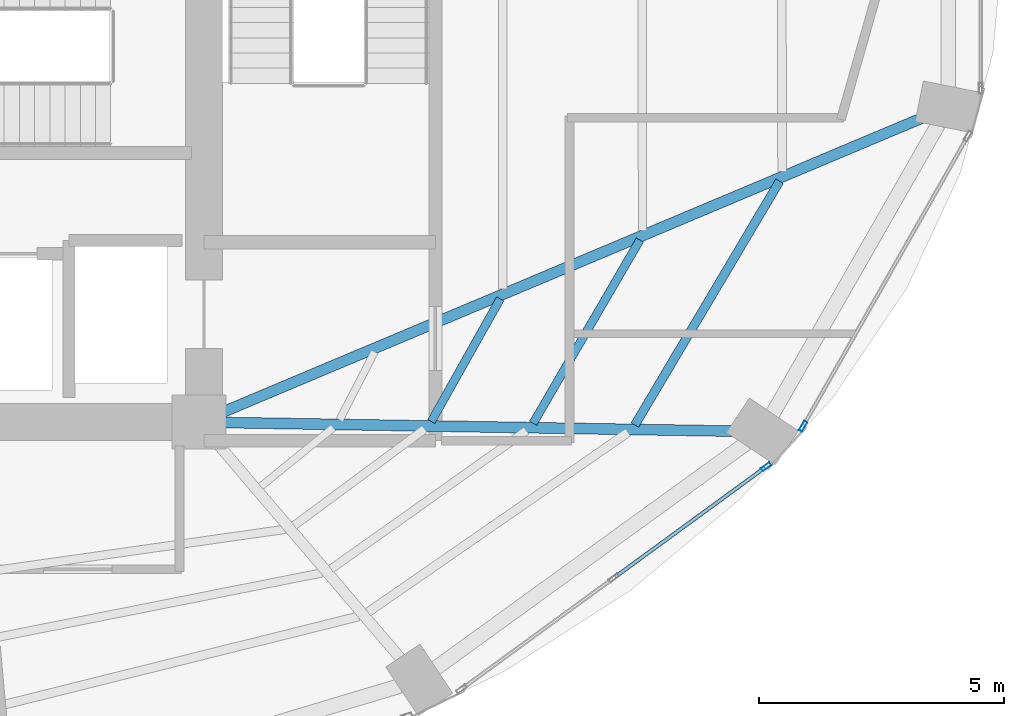
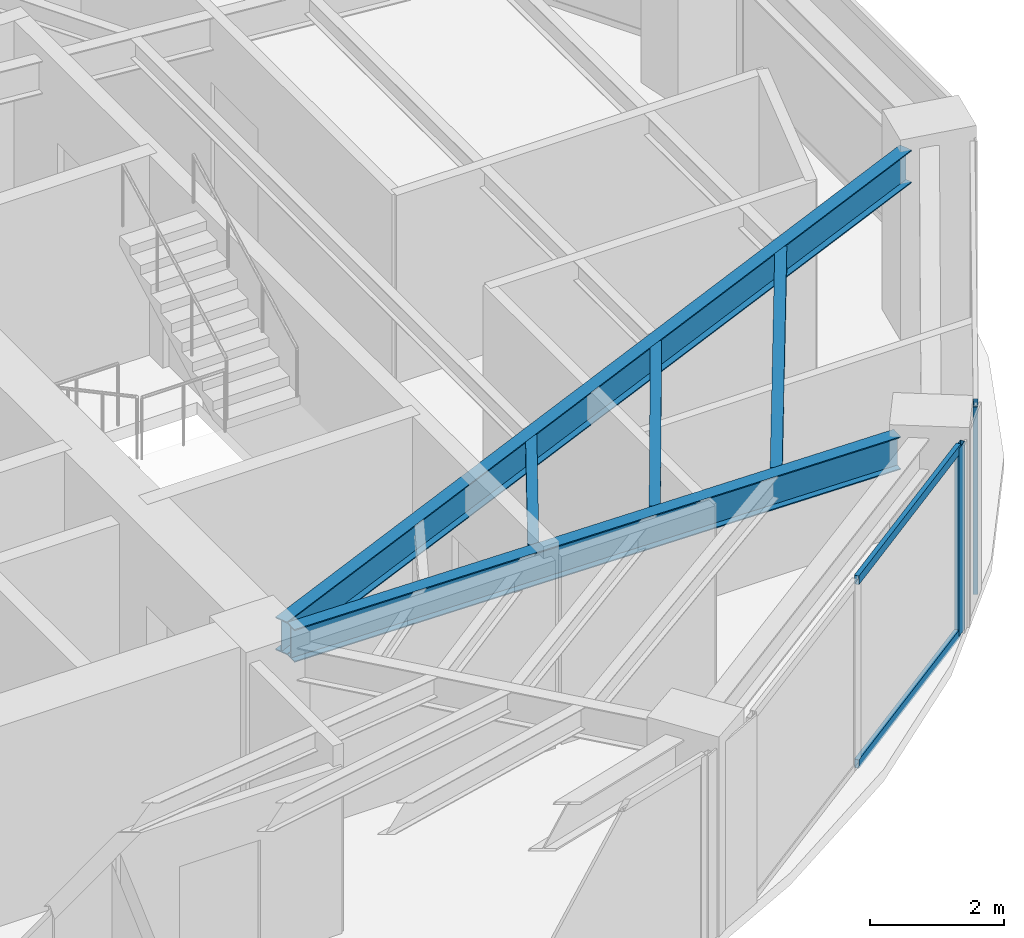
# One storey, part 12 of 24: 5 beams, 4 members, 2 elements without a shape of their own.
"""IFC4 building model written with IfcOpenShell, lengths in metres."""

from ifc_helpers import new_model, si_unit, direction, frame, origin, origin_2d, place, context, subcontext, project, spatial, hollow_rectangle, i_section, extrude, material, layer, layer_set, material_profile, profile_set, type_object, element, aggregate, save


model = new_model("IFC4")

# Units and contexts
model_context = context("Model", 3, precision=1e-05, world=origin(), true_north=direction((0.0, 1.0)))
body_context = subcontext(model_context, "Body", "Model", "MODEL_VIEW")
ifc_project = project(units=[si_unit("LENGTHUNIT", "METRE"), si_unit("AREAUNIT", "SQUARE_METRE"), si_unit("VOLUMEUNIT", "CUBIC_METRE"), si_unit("PLANEANGLEUNIT", "RADIAN"), si_unit("MASSUNIT", "GRAM", prefix="KILO")], contexts=[model_context])

# Site, building, storey
site_placement = place(None, origin())
site = spatial("IfcSite", under=ifc_project, at=site_placement, CompositionType="ELEMENT")
building_placement = place(site_placement, origin())
building = spatial("IfcBuilding", under=site, at=building_placement, Name="Lazwardi Medical Tower", CompositionType="ELEMENT")
storey_placement = place(building_placement, frame((0.0, 0.0, 118.22412109375)))
storey = spatial("IfcBuildingStorey", under=building, at=storey_placement, Name="L30", CompositionType="ELEMENT", Elevation=118.22412109375)

# Beams
ifc_material_1 = material(Name="Steel S355", Category="steel")
ifc_material_profile_1 = material_profile(ifc_material_1, i_section(OverallWidth=0.219970703125, OverallDepth=0.60009765625, WebThickness=0.011962890625, FlangeThickness=0.01904296875, at=origin_2d()), Name="IPE 600")
ifc_profile_set_1 = profile_set([ifc_material_profile_1], Name="Steel S355")
beam_type_1 = type_object("IfcBeamType", Name="BM-RG-W1", PredefinedType="BEAM", material=ifc_profile_set_1)
beam_1_placement = place(storey_placement, frame((56.497802734375, 20.215087890625, 3.1279296875), z_axis=(-0.99985616395, 0.016960289263, 0.0), x_axis=(-0.016960289263, -0.99985616395, 0.0)))
element("IfcBeam", 1, at=beam_1_placement, inside=storey, type_object=beam_type_1, Name="Radial girder RG-02 R03 L30", PredefinedType="BEAM", context=body_context, shape_type="SweptSolid", body=[
    extrude(i_section(OverallWidth=0.219970703125, OverallDepth=0.60009765625, WebThickness=0.011962890625, FlangeThickness=0.01904296875, at=origin_2d()), origin(), (0.0, 0.0, 1.0), 10.3642578125),
])
beam_2_placement = place(storey_placement, frame((60.328369140625, 26.59521484375, 3.1279296875), z_axis=(-0.921775176005, -0.38772480563, 0.0), x_axis=(0.38772480563, -0.921775176005, 0.0)))
element("IfcBeam", 2, at=beam_2_placement, inside=storey, type_object=beam_type_1, Name="Radial girder RG-02 R04 L30", PredefinedType="BEAM", context=body_context, shape_type="SweptSolid", body=[
    extrude(i_section(OverallWidth=0.219970703125, OverallDepth=0.60009765625, WebThickness=0.011962890625, FlangeThickness=0.01904296875, at=origin_2d()), origin(), (0.0, 0.0, 1.0), 15.443359375),
])
ifc_material_profile_2 = material_profile(ifc_material_1, i_section(OverallWidth=0.179931640625, OverallDepth=0.39990234375, WebThickness=0.008544921875, FlangeThickness=0.013427734375, at=origin_2d()), Name="IPE 400")
ifc_profile_set_2 = profile_set([ifc_material_profile_2], Name="Steel S355")
beam_type_2 = type_object("IfcBeamType", Name="BM-SJ-01", PredefinedType="JOIST", material=ifc_profile_set_2)
beam_3_placement = place(storey_placement, frame((54.47900390625, 20.340576171875, 3.227783203125), z_axis=(0.510499691073, 0.859877936346, 0.0), x_axis=(-0.859877936346, 0.510499691073, 0.0)))
element("IfcBeam", 3, at=beam_3_placement, inside=storey, type_object=beam_type_2, Name="Secondary joist SJ-01 R1 B03 L30", PredefinedType="JOIST", context=body_context, shape_type="SweptSolid", body=[
    extrude(i_section(OverallWidth=0.179931640625, OverallDepth=0.39990234375, WebThickness=0.008544921875, FlangeThickness=0.013427734375, at=origin_2d()), origin(), (0.0, 0.0, 1.0), 5.776123046875),
])
ifc_material_profile_3 = material_profile(ifc_material_1, i_section(OverallWidth=0.169921875, OverallDepth=0.360107421875, WebThickness=0.008056640625, FlangeThickness=0.0126953125, at=origin_2d()), Name="IPE 360")
ifc_profile_set_3 = profile_set([ifc_material_profile_3], Name="Steel S355")
beam_type_3 = type_object("IfcBeamType", Name="BM-SJ-02", PredefinedType="JOIST", material=ifc_profile_set_3)
beam_4_placement = place(storey_placement, frame((52.405517578125, 20.376220703125, 3.247802734375), z_axis=(0.503544274258, 0.86396942299, 0.0), x_axis=(-0.86396942299, 0.503544274258, 0.0)))
element("IfcBeam", 4, at=beam_4_placement, inside=storey, type_object=beam_type_3, Name="Secondary joist SJ-02 R2 B03 L30", PredefinedType="JOIST", context=body_context, shape_type="SweptSolid", body=[
    extrude(i_section(OverallWidth=0.169921875, OverallDepth=0.360107421875, WebThickness=0.008056640625, FlangeThickness=0.0126953125, at=origin_2d()), origin(), (0.0, 0.0, 1.0), 4.321044921875),
])
beam_5_placement = place(storey_placement, frame((50.33154296875, 20.412109375, 3.247802734375), z_axis=(0.489860824278, 0.871800649711, 0.0), x_axis=(-0.871800649711, 0.489860824278, 0.0)))
element("IfcBeam", 5, at=beam_5_placement, inside=storey, type_object=beam_type_3, Name="Secondary joist SJ-02 R3 B03 L30", PredefinedType="JOIST", context=body_context, shape_type="SweptSolid", body=[
    extrude(i_section(OverallWidth=0.169921875, OverallDepth=0.360107421875, WebThickness=0.008056640625, FlangeThickness=0.0126953125, at=origin_2d()), origin(), (0.0, 0.0, 1.0), 2.8662109375),
])

# Curtain wall, member
ifc_material_2 = material(Name="Anodised bronze aluminium and solar control glazing", Category="aluminium")
ifc_layer = layer(ifc_material_2, 0.195068359375)
ifc_layer_set = layer_set([ifc_layer], Name="Anodised bronze aluminium and solar control glazing")
curtain_wall_type = type_object("IfcCurtainWallType", Name="CW-SYS-03", PredefinedType="NOTDEFINED", material=ifc_layer_set)
curtain_wall_1_placement = place(storey_placement, origin())
curtain_wall_1 = element("IfcCurtainWall", 6, at=curtain_wall_1_placement, inside=storey, type_object=curtain_wall_type, Name="L30 Unitised bronze curtain wall CW-03", PredefinedType="NOTDEFINED")
ifc_material_3 = material(Name="Anodised bronze aluminium", Category="aluminium")
ifc_material_profile_4 = material_profile(ifc_material_3, hollow_rectangle(XDim=0.074951171875, YDim=0.219970703125, WallThickness=0.00390625, at=origin_2d()), Name="ALU-MULLION 220x75x4")
ifc_profile_set_4 = profile_set([ifc_material_profile_4], Name="Anodised bronze aluminium")
member_type_1 = type_object("IfcMemberType", Name="CW-MUL-01", PredefinedType="MULLION", material=ifc_profile_set_4)
member_1_placement = place(storey_placement, frame((57.155029296875, 19.4912109375, 0.0), z_axis=(0.0, 0.0, 1.0), x_axis=(-0.589530882802, 0.807745837639, 0.0)))
member_1 = element("IfcMember", 7, at=member_1_placement, type_object=member_type_1, Name="CW-03 mullion 3", PredefinedType="MULLION", context=body_context, shape_type="SweptSolid", body=[
    extrude(hollow_rectangle(XDim=0.074951171875, YDim=0.219970703125, WallThickness=0.00390625, at=origin_2d()), origin(), (0.0, 0.0, 1.0), 3.427978515625),
])

curtain_wall_2_placement = place(storey_placement, origin())
curtain_wall_2 = element("IfcCurtainWall", 8, at=curtain_wall_2_placement, inside=storey, type_object=curtain_wall_type, Name="L30 Unitised bronze curtain wall CW-03", PredefinedType="NOTDEFINED")
member_2_placement = place(storey_placement, frame((57.9072265625, 20.314208984375, 0.0), z_axis=(0.0, 0.0, 1.0), x_axis=(-0.869687265712, 0.493603140041, 0.0)))
member_2 = element("IfcMember", 9, at=member_2_placement, type_object=member_type_1, Name="CW-03 mullion 1", PredefinedType="MULLION", context=body_context, shape_type="SweptSolid", body=[
    extrude(hollow_rectangle(XDim=0.074951171875, YDim=0.219970703125, WallThickness=0.00390625, at=origin_2d()), origin(), (0.0, 0.0, 1.0), 3.427978515625),
])
aggregate(curtain_wall_2, [member_2])

# Member
ifc_material_profile_5 = material_profile(ifc_material_3, hollow_rectangle(XDim=0.074951171875, YDim=0.159912109375, WallThickness=0.00390625, at=origin_2d()), Name="ALU-TRANSOM 160x75x4")
ifc_profile_set_5 = profile_set([ifc_material_profile_5], Name="Anodised bronze aluminium")
member_type_2 = type_object("IfcMemberType", Name="CW-TRN-01", PredefinedType="USERDEFINED", material=ifc_profile_set_5)
member_3_placement = place(storey_placement, frame((54.081298828125, 17.247802734375, 0.037353515625), z_axis=(0.807731734271, 0.589550206049, 0.0), x_axis=(-0.589550206049, 0.807731734271, 0.0)))
member_3 = element("IfcMember", 10, at=member_3_placement, type_object=member_type_2, Name="CW-03 transom 2.1", ObjectType="TRANSOM", PredefinedType="USERDEFINED", context=body_context, shape_type="SweptSolid", body=[
    extrude(hollow_rectangle(XDim=0.074951171875, YDim=0.159912109375, WallThickness=0.00390625, at=origin_2d()), origin(), (0.0, 0.0, 1.0), 3.767578125),
])

member_4_placement = place(storey_placement, frame((54.081298828125, 17.247802734375, 3.390380859375), z_axis=(0.807731734271, 0.589550206049, 0.0), x_axis=(-0.589550206049, 0.807731734271, 0.0)))
member_4 = element("IfcMember", 11, at=member_4_placement, type_object=member_type_2, Name="CW-03 transom 2.2", ObjectType="TRANSOM", PredefinedType="USERDEFINED", context=body_context, shape_type="SweptSolid", body=[
    extrude(hollow_rectangle(XDim=0.074951171875, YDim=0.159912109375, WallThickness=0.00390625, at=origin_2d()), origin(), (0.0, 0.0, 1.0), 3.767578125),
])

aggregate(curtain_wall_1, [member_1, member_3, member_4])

save(model, "model.ifc")
